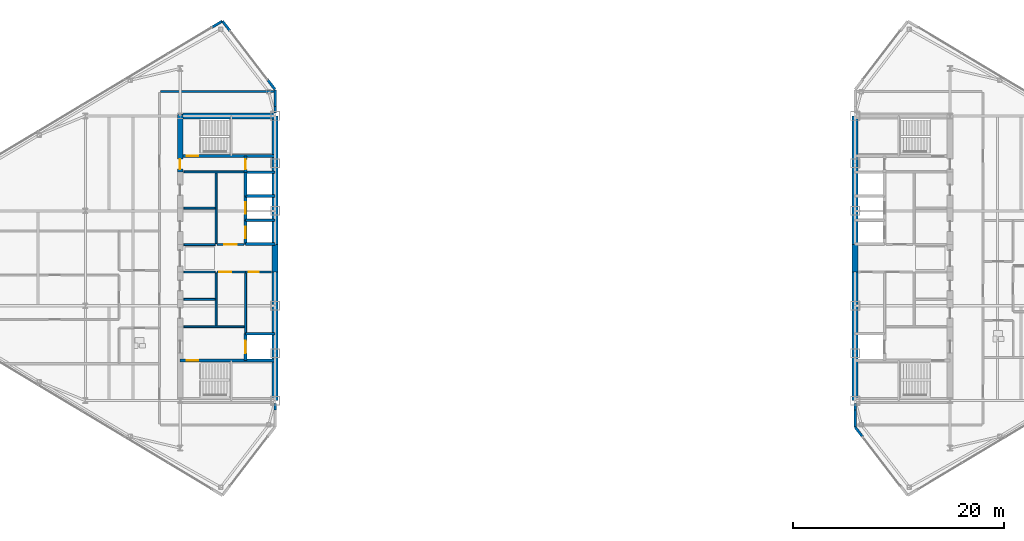
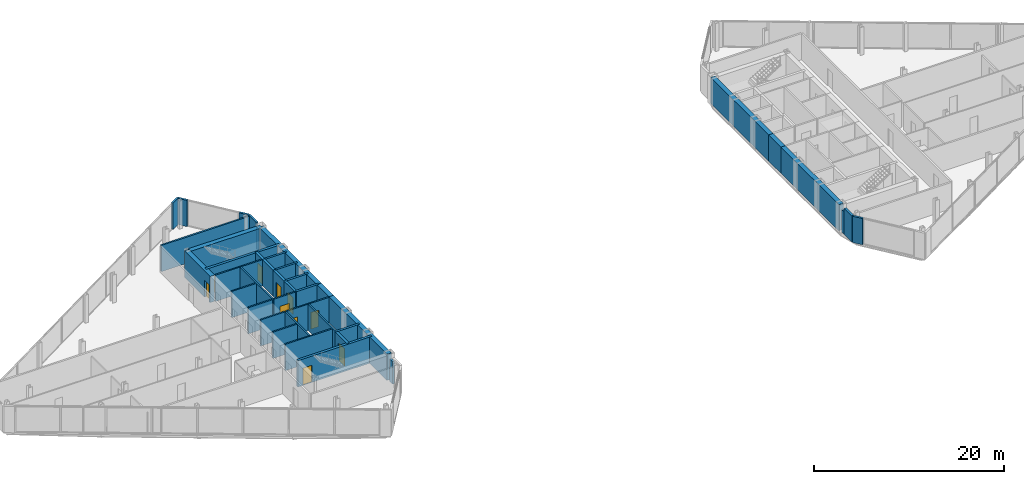
# One storey, part 20 of 25: 42 walls, 10 doors, 10 openings.
"""IFC4 building model written with IfcOpenShell, lengths in metres."""

from ifc_helpers import new_model, si_unit, direction, frame, frame_2d, origin, place, context, subcontext, project, spatial, rectangle, extrude, source, transform, mapped, material, layer, layer_set, type_object, type_shapes, element, fill, save


model = new_model("IFC4")

# Units and contexts
model_context = context("Model", 3, precision=1e-05, world=origin(), true_north=direction((0.0, 1.0)))
body_context = subcontext(model_context, "Body", "Model", "MODEL_VIEW")
ifc_project = project(units=[si_unit("LENGTHUNIT", "METRE"), si_unit("AREAUNIT", "SQUARE_METRE"), si_unit("VOLUMEUNIT", "CUBIC_METRE"), si_unit("PLANEANGLEUNIT", "RADIAN"), si_unit("MASSUNIT", "GRAM", prefix="KILO")], contexts=[model_context])

# Site, building, storey
site_placement = place(None, origin())
site = spatial("IfcSite", under=ifc_project, at=site_placement, CompositionType="ELEMENT")
building_placement = place(site_placement, origin())
building = spatial("IfcBuilding", under=site, at=building_placement, Name="Seokmaru Belvedere", CompositionType="ELEMENT")
storey_placement = place(building_placement, frame((0.0, 0.0, 206.699951171875)))
storey = spatial("IfcBuildingStorey", under=building, at=storey_placement, Name="L55", CompositionType="ELEMENT", Elevation=206.699951171875)

# Walls
ifc_material_1 = material(Name="Fire-Rated Gypsum Shaftwall")
ifc_layer_1 = layer(ifc_material_1, 0.179931640625)
ifc_layer_set_1 = layer_set([ifc_layer_1], Name="Fire-Rated Gypsum Shaftwall")
wall_type_1 = type_object("IfcWallType", Name="Core Service Fire Partition 180", PredefinedType="PARTITIONING", material=ifc_layer_set_1)
for number, where, z_axis, x_axis, name in (
    (1, (-36.14990234375, -6.5, 0.0), (0.0, 0.0, 1.0), (1.0, 0.0, 0.0), "L55 West Firefighting Lobby Partition"),
    (2, (-36.14990234375, 8.199951171875, 0.0), (0.0, 0.0, 1.0), (1.0, 0.0, 0.0), "L55 West Smokeproof Vestibule Partition"),
):
    element("IfcWall", number, at=place(storey_placement, frame(where, z_axis=z_axis, x_axis=x_axis)), inside=storey, type_object=wall_type_1, Name=name, PredefinedType="PARTITIONING", context=body_context, shape_type="SweptSolid", body=[
        extrude(rectangle(XDim=5.699951171875, YDim=0.179931640625, at=frame_2d((2.85009765625, 0.0))), origin(), (0.0, 0.0, 1.0), 3.380126953125),
    ])
wall_1_placement = place(storey_placement, frame((-33.10009765625, -6.419921875, 0.0), z_axis=(0.0, 0.0, 1.0), x_axis=(0.0, 1.0, 0.0)))
element("IfcWall", 3, at=wall_1_placement, inside=storey, type_object=wall_type_1, Name="L55 West South Core Service Back Wall", PredefinedType="PARTITIONING", context=body_context, shape_type="SweptSolid", body=[
    extrude(rectangle(XDim=5.0400390625, YDim=0.179931640625, at=frame_2d((2.52001953125, 0.0))), origin(), (0.0, 0.0, 1.0), 3.380126953125),
])
wall_2_placement = place(storey_placement, frame((-33.10009765625, 1.3798828125, 0.0), z_axis=(0.0, 0.0, 1.0), x_axis=(0.0, 1.0, 0.0)))
element("IfcWall", 4, at=wall_2_placement, inside=storey, type_object=wall_type_1, Name="L55 West North Core Service Back Wall", PredefinedType="PARTITIONING", context=body_context, shape_type="SweptSolid", body=[
    extrude(rectangle(XDim=6.740234375, YDim=0.179931640625, at=frame_2d((3.3701171875, 0.0))), origin(), (0.0, 0.0, 1.0), 3.380126953125),
])

# Wall, opening, door
wall_3_placement = place(storey_placement, frame((-30.300048828125, -1.300048828125, 0.0), z_axis=(0.0, 0.0, 1.0), x_axis=(1.0, 0.0, 0.0)))
wall_3 = element("IfcWall", 5, at=wall_3_placement, inside=storey, type_object=wall_type_1, Name="L55 West South Parcel Vault Foyer Wall", PredefinedType="PARTITIONING", context=body_context, shape_type="SweptSolid", body=[
    extrude(rectangle(XDim=2.449951171875, YDim=0.179931640625, at=frame_2d((1.22509765625, 0.0))), origin(), (0.0, 0.0, 1.0), 3.380126953125),
])
opening_1_placement = place(wall_3_placement, frame((0.27490234375, 0.0, 0.0)))
opening_1 = element("IfcOpeningElement", 6, at=opening_1_placement, cuts=wall_3, Name="Opening D04", PredefinedType="OPENING", context=body_context, shape_type="SweptSolid", body=[
    extrude(rectangle(XDim=0.949951171875, YDim=2.14990234375, at=frame_2d((0.47509765625, 1.074951171875))), frame((0.0, 0.10009765625, 0.0), z_axis=(0.0, -1.0, 0.0), x_axis=(1.0, 0.0, 0.0)), (0.0, 0.0, 1.0), 0.199951171875),
])
ifc_material_2 = material(Name="Fire-Rated Steel Leaf", Category="steel")
door_type_1 = type_object("IfcDoorType", Name="Core Service Room Fire Door 950x2150", OperationType="NOTDEFINED", PredefinedType="DOOR", material=ifc_material_2)
shared_shape_1 = source(origin(), body_context, "Body", "SweptSolid", [
    extrude(rectangle(XDim=0.949951171875, YDim=2.14990234375, at=frame_2d((0.47509765625, 1.074951171875))), frame((0.0, 0.02490234375, 0.0), z_axis=(0.0, -1.0, 0.0), x_axis=(1.0, 0.0, 0.0)), (0.0, 0.0, 1.0), 0.050048828125),
])
type_shapes(door_type_1, [shared_shape_1])
door_1_placement = place(opening_1_placement, origin())
door_1 = element("IfcDoor", 7, at=door_1_placement, inside=storey, type_object=door_type_1, Name="L55 West South Parcel Vault Door", OperationType="SINGLE_SWING_LEFT", OverallHeight=2.14990234375, OverallWidth=0.949951171875, PredefinedType="DOOR", context=body_context, shape_type="MappedRepresentation", body=[
    mapped(shared_shape_1, transform((0.0, 0.0, 0.0), scale=1.0)),
])
fill(opening_1, door_1)

wall_4_placement = place(storey_placement, frame((-33.02001953125, -1.300048828125, 0.0), z_axis=(0.0, 0.0, 1.0), x_axis=(1.0, 0.0, 0.0)))
wall_4 = element("IfcWall", 8, at=wall_4_placement, inside=storey, type_object=wall_type_1, Name="L55 West South Wine Cellar Foyer Wall", PredefinedType="PARTITIONING", context=body_context, shape_type="SweptSolid", body=[
    extrude(rectangle(XDim=2.719970703125, YDim=0.179931640625, at=frame_2d((1.35986328125, 0.0))), origin(), (0.0, 0.0, 1.0), 3.380126953125),
])
opening_2_placement = place(wall_4_placement, frame((0.2099609375, 0.0, 0.0)))
opening_2 = element("IfcOpeningElement", 9, at=opening_2_placement, cuts=wall_4, Name="Opening D02", PredefinedType="OPENING", context=body_context, shape_type="SweptSolid", body=[
    extrude(rectangle(XDim=1.14990234375, YDim=2.199951171875, at=frame_2d((0.574951171875, 1.10009765625))), frame((0.0, 0.10009765625, 0.0), z_axis=(0.0, -1.0, 0.0), x_axis=(1.0, 0.0, 0.0)), (0.0, 0.0, 1.0), 0.199951171875),
])
door_type_2 = type_object("IfcDoorType", Name="Lobby and Vestibule Fire Door 1150x2200", OperationType="NOTDEFINED", PredefinedType="DOOR", material=ifc_material_2)
shared_shape_2 = source(origin(), body_context, "Body", "SweptSolid", [
    extrude(rectangle(XDim=1.14990234375, YDim=2.199951171875, at=frame_2d((0.574951171875, 1.10009765625))), frame((0.0, 0.02490234375, 0.0), z_axis=(0.0, -1.0, 0.0), x_axis=(1.0, 0.0, 0.0)), (0.0, 0.0, 1.0), 0.050048828125),
])
type_shapes(door_type_2, [shared_shape_2])
door_2_placement = place(opening_2_placement, origin())
door_2 = element("IfcDoor", 10, at=door_2_placement, inside=storey, type_object=door_type_2, Name="L55 West South Core Foyer Door", OperationType="SINGLE_SWING_LEFT", OverallHeight=2.199951171875, OverallWidth=1.14990234375, PredefinedType="DOOR", context=body_context, shape_type="MappedRepresentation", body=[
    mapped(shared_shape_2, transform((0.0, 0.0, 0.0), scale=1.0)),
])
fill(opening_2, door_2)

# Wall
wall_5_placement = place(storey_placement, frame((-30.300048828125, -7.1201171875, 0.0), z_axis=(0.0, 0.0, 1.0), x_axis=(0.0, 1.0, 0.0)))
element("IfcWall", 11, at=wall_5_placement, inside=storey, type_object=wall_type_1, Name="L55 West Freed Shaft Vault Partition", PredefinedType="PARTITIONING", context=body_context, shape_type="SweptSolid", body=[
    extrude(rectangle(XDim=5.740234375, YDim=0.179931640625, at=frame_2d((2.8701171875, 0.0))), origin(), (0.0, 0.0, 1.0), 3.380126953125),
])

# Wall, opening, door
wall_6_placement = place(storey_placement, frame((-33.02001953125, 1.300048828125, 0.0), z_axis=(0.0, 0.0, 1.0), x_axis=(1.0, 0.0, 0.0)))
wall_6 = element("IfcWall", 12, at=wall_6_placement, inside=storey, type_object=wall_type_1, Name="L55 West North Lift Lobby Foyer Wall", PredefinedType="PARTITIONING", context=body_context, shape_type="SweptSolid", body=[
    extrude(rectangle(XDim=2.570068359375, YDim=0.179931640625, at=frame_2d((1.28515625, 0.0))), origin(), (0.0, 0.0, 1.0), 3.380126953125),
])
opening_3_placement = place(wall_6_placement, frame((0.7099609375, 0.0, 0.0)))
opening_3 = element("IfcOpeningElement", 13, at=opening_3_placement, cuts=wall_6, Name="Opening D02", PredefinedType="OPENING", context=body_context, shape_type="SweptSolid", body=[
    extrude(rectangle(XDim=1.14990234375, YDim=2.199951171875, at=frame_2d((0.574951171875, 1.10009765625))), frame((0.0, 0.10009765625, 0.0), z_axis=(0.0, -1.0, 0.0), x_axis=(1.0, 0.0, 0.0)), (0.0, 0.0, 1.0), 0.199951171875),
])
door_3_placement = place(opening_3_placement, origin())
door_3 = element("IfcDoor", 14, at=door_3_placement, inside=storey, type_object=door_type_2, Name="L55 West North Lift Lobby Door", OperationType="SINGLE_SWING_RIGHT", OverallHeight=2.199951171875, OverallWidth=1.14990234375, PredefinedType="DOOR", context=body_context, shape_type="MappedRepresentation", body=[
    mapped(shared_shape_2, transform((0.0, 0.0, 0.0), scale=1.0)),
])
fill(opening_3, door_3)

# Walls
for number, where, z_axis, x_axis, name in (
    (15, (-36.14990234375, -1.300048828125, 0.0), (0.0, 0.0, 1.0), (1.0, 0.0, 0.0), "L55 West Foyer Side Wall S"),
    (16, (-36.14990234375, 1.300048828125, 0.0), (0.0, 0.0, 1.0), (1.0, 0.0, 0.0), "L55 West Foyer Side Wall N"),
    (17, (-36.14990234375, -3.89990234375, 0.0), (0.0, 0.0, 1.0), (1.0, 0.0, 0.0), "L55 West Core Service Partition 1"),
    (18, (-36.14990234375, 4.75, 0.0), (0.0, 0.0, 1.0), (1.0, 0.0, 0.0), "L55 West Core Service Partition 2"),
):
    element("IfcWall", number, at=place(storey_placement, frame(where, z_axis=z_axis, x_axis=x_axis)), inside=storey, type_object=wall_type_1, Name=name, PredefinedType="PARTITIONING", context=body_context, shape_type="SweptSolid", body=[
        extrude(rectangle(XDim=2.949951171875, YDim=0.179931640625, at=frame_2d((1.47509765625, 0.0))), origin(), (0.0, 0.0, 1.0), 3.380126953125),
    ])
ifc_material_3 = material(Name="Concrete C50 (50 MPa)", Category="concrete")
ifc_layer_2 = layer(ifc_material_3, 0.25)
ifc_layer_set_2 = layer_set([ifc_layer_2], Name="Concrete C50 (50 MPa)")
wall_type_2 = type_object("IfcWallType", Name="Hoistway Transverse Concrete Divider Wall 250", PredefinedType="SHEAR", material=ifc_layer_set_2)
for number, where, z_axis, x_axis, name in (
    (19, (-30.300048828125, -7.14990234375, 0.0), (0.0, 0.0, 1.0), (1.0, 0.0, 0.0), "L55 West Hoistway Divider Core Wall 1"),
    (20, (-30.300048828125, 1.35009765625, 0.0), (0.0, 0.0, 1.0), (1.0, 0.0, 0.0), "L55 West Hoistway Divider Core Wall 2"),
    (21, (-30.300048828125, 3.60009765625, 0.0), (0.0, 0.0, 1.0), (1.0, 0.0, 0.0), "L55 West Hoistway Divider Core Wall 3"),
    (22, (-30.300048828125, 5.89990234375, 0.0), (0.0, 0.0, 1.0), (1.0, 0.0, 0.0), "L55 West Hoistway Divider Core Wall 4"),
    (23, (-30.300048828125, 8.14990234375, 0.0), (0.0, 0.0, 1.0), (1.0, 0.0, 0.0), "L55 West Hoistway Divider Core Wall 5"),
):
    element("IfcWall", number, at=place(storey_placement, frame(where, z_axis=z_axis, x_axis=x_axis)), inside=storey, type_object=wall_type_2, Name=name, PredefinedType="SHEAR", context=body_context, shape_type="SweptSolid", body=[
        extrude(rectangle(XDim=2.800048828125, YDim=0.25, at=frame_2d((1.39990234375, 0.0))), origin(), (0.0, 0.0, 1.0), 3.380126953125),
    ])
ifc_layer_3 = layer(ifc_material_1, 0.199951171875)
ifc_layer_set_3 = layer_set([ifc_layer_3], Name="Fire-Rated Gypsum Shaftwall")
wall_type_3 = type_object("IfcWallType", Name="Inter-Tenancy Fire Compartment Partition 200", PredefinedType="PARTITIONING", material=ifc_layer_set_3)
wall_7_placement = place(storey_placement, frame((-38.364990234375, 15.800048828125, 0.0), z_axis=(0.0, 0.0, 1.0), x_axis=(1.0, 0.0, 0.0)))
element("IfcWall", 24, at=wall_7_placement, inside=storey, type_object=wall_type_3, Name="L55 Interior Partition 015", PredefinedType="PARTITIONING", context=body_context, shape_type="SweptSolid", body=[
    extrude(rectangle(XDim=10.739990234375, YDim=0.199951171875, at=frame_2d((5.3701171875, 0.0))), origin(), (0.0, 0.0, 1.0), 3.380126953125),
])

# Wall, opening, door
ifc_layer_4 = layer(ifc_material_3, 0.300048828125)
ifc_layer_set_4 = layer_set([ifc_layer_4], Name="Concrete C50 (50 MPa)")
wall_type_4 = type_object("IfcWallType", Name="Internal Core Stair and Hoistway Wall 300", PredefinedType="SHEAR", material=ifc_layer_set_4)
wall_8_placement = place(storey_placement, frame((-36.5, -9.699951171875, 0.0), z_axis=(0.0, 0.0, 1.0), x_axis=(1.0, 0.0, 0.0)))
wall_8 = element("IfcWall", 25, at=wall_8_placement, inside=storey, type_object=wall_type_4, Name="L55 West Stair ST-1 Enclosure Wall", PredefinedType="SHEAR", context=body_context, shape_type="SweptSolid", body=[
    extrude(rectangle(XDim=9.0, YDim=0.300048828125, at=frame_2d((4.5, 0.0))), origin(), (0.0, 0.0, 1.0), 3.380126953125),
])
opening_4_placement = place(wall_8_placement, frame((0.60009765625, 0.0, 0.0)))
opening_4 = element("IfcOpeningElement", 26, at=opening_4_placement, cuts=wall_8, Name="Opening D01", PredefinedType="OPENING", context=body_context, shape_type="SweptSolid", body=[
    extrude(rectangle(XDim=1.10009765625, YDim=2.199951171875, at=frame_2d((0.550048828125, 1.10009765625))), frame((0.0, 0.16015625, 0.0), z_axis=(0.0, -1.0, 0.0), x_axis=(1.0, 0.0, 0.0)), (0.0, 0.0, 1.0), 0.320068359375),
])
door_type_3 = type_object("IfcDoorType", Name="Special Escape Stair Smokeproof Fire Door 1100x2200", OperationType="NOTDEFINED", PredefinedType="DOOR", material=ifc_material_2)
shared_shape_3 = source(origin(), body_context, "Body", "SweptSolid", [
    extrude(rectangle(XDim=1.10009765625, YDim=2.199951171875, at=frame_2d((0.550048828125, 1.10009765625))), frame((0.0, 0.02490234375, 0.0), z_axis=(0.0, -1.0, 0.0), x_axis=(1.0, 0.0, 0.0)), (0.0, 0.0, 1.0), 0.050048828125),
])
type_shapes(door_type_3, [shared_shape_3])
door_4_placement = place(opening_4_placement, frame((1.10009765625, 0.0, 0.0), z_axis=(0.0, 0.0, 1.0), x_axis=(-1.0, 0.0, 0.0)))
door_4 = element("IfcDoor", 27, at=door_4_placement, inside=storey, type_object=door_type_3, Name="L55 West Special Escape Stair ST-1 Door", OperationType="SINGLE_SWING_LEFT", OverallHeight=2.199951171875, OverallWidth=1.10009765625, PredefinedType="DOOR", context=body_context, shape_type="MappedRepresentation", body=[
    mapped(shared_shape_3, transform((0.0, 0.0, 0.0), scale=1.0)),
])
fill(opening_4, door_4)

wall_9_placement = place(storey_placement, frame((-36.5, 9.699951171875, 0.0), z_axis=(0.0, 0.0, 1.0), x_axis=(1.0, 0.0, 0.0)))
wall_9 = element("IfcWall", 28, at=wall_9_placement, inside=storey, type_object=wall_type_4, Name="L55 West Stair ST-2 Enclosure Wall", PredefinedType="SHEAR", context=body_context, shape_type="SweptSolid", body=[
    extrude(rectangle(XDim=9.0, YDim=0.300048828125, at=frame_2d((4.5, 0.0))), origin(), (0.0, 0.0, 1.0), 3.380126953125),
])
opening_5_placement = place(wall_9_placement, frame((0.60009765625, 0.0, 0.0)))
opening_5 = element("IfcOpeningElement", 29, at=opening_5_placement, cuts=wall_9, Name="Opening D01", PredefinedType="OPENING", context=body_context, shape_type="SweptSolid", body=[
    extrude(rectangle(XDim=1.10009765625, YDim=2.199951171875, at=frame_2d((0.550048828125, 1.10009765625))), frame((0.0, 0.16015625, 0.0), z_axis=(0.0, -1.0, 0.0), x_axis=(1.0, 0.0, 0.0)), (0.0, 0.0, 1.0), 0.320068359375),
])
door_5_placement = place(opening_5_placement, origin())
door_5 = element("IfcDoor", 30, at=door_5_placement, inside=storey, type_object=door_type_3, Name="L55 West Special Escape Stair ST-2 Door", OperationType="SINGLE_SWING_RIGHT", OverallHeight=2.199951171875, OverallWidth=1.10009765625, PredefinedType="DOOR", context=body_context, shape_type="MappedRepresentation", body=[
    mapped(shared_shape_3, transform((0.0, 0.0, 0.0), scale=1.0)),
])
fill(opening_5, door_5)

wall_10_placement = place(storey_placement, frame((-30.300048828125, -9.679931640625, 0.0), z_axis=(0.0, 0.0, 1.0), x_axis=(0.0, 1.0, 0.0)))
wall_10 = element("IfcWall", 31, at=wall_10_placement, inside=storey, type_object=wall_type_4, Name="L55 West Firefighting Lift Shaft Front Wall", PredefinedType="SHEAR", context=body_context, shape_type="SweptSolid", body=[
    extrude(rectangle(XDim=2.559814453125, YDim=0.300048828125, at=frame_2d((1.27978515625, 0.0))), origin(), (0.0, 0.0, 1.0), 3.380126953125),
])
opening_6_placement = place(wall_10_placement, frame((0.679931640625, 0.0, 0.0)))
opening_6 = element("IfcOpeningElement", 32, at=opening_6_placement, cuts=wall_10, Name="Opening LD2", PredefinedType="OPENING", context=body_context, shape_type="SweptSolid", body=[
    extrude(rectangle(XDim=1.199951171875, YDim=2.25, at=frame_2d((0.60009765625, 1.125))), frame((0.0, 0.16015625, 0.0), z_axis=(0.0, -1.0, 0.0), x_axis=(1.0, 0.0, 0.0)), (0.0, 0.0, 1.0), 0.320068359375),
])
ifc_material_4 = material(Name="Stainless Steel 316", Category="steel")
door_type_4 = type_object("IfcDoorType", Name="Firefighting Lift Sliding Landing Door 1200x2250", OperationType="DOUBLE_DOOR_SLIDING", PredefinedType="DOOR", material=ifc_material_4)
shared_shape_4 = source(origin(), body_context, "Body", "SweptSolid", [
    extrude(rectangle(XDim=1.199951171875, YDim=2.25, at=frame_2d((0.60009765625, 1.125))), frame((0.0, 0.02490234375, 0.0), z_axis=(0.0, -1.0, 0.0), x_axis=(1.0, 0.0, 0.0)), (0.0, 0.0, 1.0), 0.050048828125),
])
type_shapes(door_type_4, [shared_shape_4])
door_6_placement = place(opening_6_placement, origin())
door_6 = element("IfcDoor", 33, at=door_6_placement, inside=storey, type_object=door_type_4, Name="L55 West Firefighting Lift Landing Door", OperationType="DOUBLE_DOOR_SLIDING", OverallHeight=2.25, OverallWidth=1.199951171875, PredefinedType="DOOR", context=body_context, shape_type="MappedRepresentation", body=[
    mapped(shared_shape_4, transform((0.0, 0.0, 0.0), scale=1.0)),
])
fill(opening_6, door_6)

wall_11_placement = place(storey_placement, frame((-30.300048828125, 1.320068359375, 0.0), z_axis=(0.0, 0.0, 1.0), x_axis=(0.0, 1.0, 0.0)))
wall_11 = element("IfcWall", 34, at=wall_11_placement, inside=storey, type_object=wall_type_4, Name="L55 West North Hoistway Wall PH1", PredefinedType="SHEAR", context=body_context, shape_type="SweptSolid", body=[
    extrude(rectangle(XDim=2.280029296875, YDim=0.300048828125, at=frame_2d((1.14013671875, 0.0))), origin(), (0.0, 0.0, 1.0), 3.380126953125),
])
opening_7_placement = place(wall_11_placement, frame((0.590087890625, 0.0, 0.0)))
opening_7 = element("IfcOpeningElement", 35, at=opening_7_placement, cuts=wall_11, Name="Opening LD1", PredefinedType="OPENING", context=body_context, shape_type="SweptSolid", body=[
    extrude(rectangle(XDim=1.10009765625, YDim=2.199951171875, at=frame_2d((0.550048828125, 1.10009765625))), frame((0.0, 0.16015625, 0.0), z_axis=(0.0, -1.0, 0.0), x_axis=(1.0, 0.0, 0.0)), (0.0, 0.0, 1.0), 0.320068359375),
])
door_type_5 = type_object("IfcDoorType", Name="Passenger Lift Sliding Landing Door 1100x2200", OperationType="DOUBLE_DOOR_SLIDING", PredefinedType="DOOR", material=ifc_material_4)
shared_shape_5 = source(origin(), body_context, "Body", "SweptSolid", [
    extrude(rectangle(XDim=1.10009765625, YDim=2.199951171875, at=frame_2d((0.550048828125, 1.10009765625))), frame((0.0, 0.02490234375, 0.0), z_axis=(0.0, -1.0, 0.0), x_axis=(1.0, 0.0, 0.0)), (0.0, 0.0, 1.0), 0.050048828125),
])
type_shapes(door_type_5, [shared_shape_5])
door_7_placement = place(opening_7_placement, origin())
door_7 = element("IfcDoor", 36, at=door_7_placement, inside=storey, type_object=door_type_5, Name="L55 West High-Rise Lift PH-1 Landing Door", OperationType="DOUBLE_DOOR_SLIDING", OverallHeight=2.199951171875, OverallWidth=1.10009765625, PredefinedType="DOOR", context=body_context, shape_type="MappedRepresentation", body=[
    mapped(shared_shape_5, transform((0.0, 0.0, 0.0), scale=1.0)),
])
fill(opening_7, door_7)

wall_12_placement = place(storey_placement, frame((-30.300048828125, 3.60009765625, 0.0), z_axis=(0.0, 0.0, 1.0), x_axis=(0.0, 1.0, 0.0)))
wall_12 = element("IfcWall", 37, at=wall_12_placement, inside=storey, type_object=wall_type_4, Name="L55 West North Hoistway Wall PH2", PredefinedType="SHEAR", context=body_context, shape_type="SweptSolid", body=[
    extrude(rectangle(XDim=2.2998046875, YDim=0.300048828125, at=frame_2d((1.14990234375, 0.0))), origin(), (0.0, 0.0, 1.0), 3.380126953125),
])
opening_8_placement = place(wall_12_placement, frame((0.60009765625, 0.0, 0.0)))
opening_8 = element("IfcOpeningElement", 38, at=opening_8_placement, cuts=wall_12, Name="Opening LD1", PredefinedType="OPENING", context=body_context, shape_type="SweptSolid", body=[
    extrude(rectangle(XDim=1.10009765625, YDim=2.199951171875, at=frame_2d((0.550048828125, 1.10009765625))), frame((0.0, 0.16015625, 0.0), z_axis=(0.0, -1.0, 0.0), x_axis=(1.0, 0.0, 0.0)), (0.0, 0.0, 1.0), 0.320068359375),
])
door_8_placement = place(opening_8_placement, origin())
door_8 = element("IfcDoor", 39, at=door_8_placement, inside=storey, type_object=door_type_5, Name="L55 West High-Rise Lift PH-2 Landing Door", OperationType="DOUBLE_DOOR_SLIDING", OverallHeight=2.199951171875, OverallWidth=1.10009765625, PredefinedType="DOOR", context=body_context, shape_type="MappedRepresentation", body=[
    mapped(shared_shape_5, transform((0.0, 0.0, 0.0), scale=1.0)),
])
fill(opening_8, door_8)

# Wall
wall_13_placement = place(storey_placement, frame((-30.300048828125, 5.89990234375, 0.0), z_axis=(0.0, 0.0, 1.0), x_axis=(0.0, 1.0, 0.0)))
element("IfcWall", 40, at=wall_13_placement, inside=storey, type_object=wall_type_4, Name="L55 West North Hoistway Wall OBS", PredefinedType="SHEAR", context=body_context, shape_type="SweptSolid", body=[
    extrude(rectangle(XDim=2.25, YDim=0.300048828125, at=frame_2d((1.125, 0.0))), origin(), (0.0, 0.0, 1.0), 3.380126953125),
])

# Wall, opening, door
wall_14_placement = place(storey_placement, frame((-30.300048828125, 8.14990234375, 0.0), z_axis=(0.0, 0.0, 1.0), x_axis=(0.0, 1.0, 0.0)))
wall_14 = element("IfcWall", 41, at=wall_14_placement, inside=storey, type_object=wall_type_4, Name="L55 West Electrical Riser Front Wall", PredefinedType="SHEAR", context=body_context, shape_type="SweptSolid", body=[
    extrude(rectangle(XDim=1.530029296875, YDim=0.300048828125, at=frame_2d((0.76513671875, 0.0))), origin(), (0.0, 0.0, 1.0), 3.380126953125),
])
opening_9_placement = place(wall_14_placement, frame((0.284912109375, 0.0, 0.0)))
opening_9 = element("IfcOpeningElement", 42, at=opening_9_placement, cuts=wall_14, Name="Opening D04", PredefinedType="OPENING", context=body_context, shape_type="SweptSolid", body=[
    extrude(rectangle(XDim=0.949951171875, YDim=2.14990234375, at=frame_2d((0.47509765625, 1.074951171875))), frame((0.0, 0.16015625, 0.0), z_axis=(0.0, -1.0, 0.0), x_axis=(1.0, 0.0, 0.0)), (0.0, 0.0, 1.0), 0.320068359375),
])
door_9_placement = place(opening_9_placement, origin())
door_9 = element("IfcDoor", 43, at=door_9_placement, inside=storey, type_object=door_type_1, Name="L55 West Electrical Riser Access Door", OperationType="SINGLE_SWING_LEFT", OverallHeight=2.14990234375, OverallWidth=0.949951171875, PredefinedType="DOOR", context=body_context, shape_type="MappedRepresentation", body=[
    mapped(shared_shape_1, transform((0.0, 0.0, 0.0), scale=1.0)),
])
fill(opening_9, door_9)

# Walls
ifc_layer_5 = layer(ifc_material_3, 0.550048828125)
ifc_layer_set_5 = layer_set([ifc_layer_5], Name="Concrete C50 (50 MPa)")
wall_type_5 = type_object("IfcWallType", Name="Mid-High Reinforced Concrete Core Wall 550", PredefinedType="SHEAR", material=ifc_layer_set_5)
for number, where, z_axis, x_axis, name in (
    (44, (-27.5, -13.5, 0.0), (0.0, 0.0, 1.0), (0.0, 1.0, 0.0), "L55 West Portal Spine Core Wall South"),
    (45, (-27.5, 1.300048828125, 0.0), (0.0, 0.0, 1.0), (0.0, 1.0, 0.0), "L55 West Portal Spine Core Wall North"),
):
    element("IfcWall", number, at=place(storey_placement, frame(where, z_axis=z_axis, x_axis=x_axis)), inside=storey, type_object=wall_type_5, Name=name, PredefinedType="SHEAR", context=body_context, shape_type="SweptSolid", body=[
        extrude(rectangle(XDim=12.199951171875, YDim=0.550048828125, at=frame_2d((6.10009765625, 0.0))), origin(), (0.0, 0.0, 1.0), 3.380126953125),
    ])
wall_15_placement = place(storey_placement, frame((-27.5, -1.300048828125, 0.0), z_axis=(0.0, 0.0, 1.0), x_axis=(0.0, 1.0, 0.0)))
element("IfcWall", 46, at=wall_15_placement, inside=storey, type_object=wall_type_5, Name="L55 West Portal Spine Core Wall Center", PredefinedType="SHEAR", context=body_context, shape_type="SweptSolid", body=[
    extrude(rectangle(XDim=2.60009765625, YDim=0.550048828125, at=frame_2d((1.300048828125, 0.0))), origin(), (0.0, 0.0, 1.0), 3.380126953125),
])
wall_16_placement = place(storey_placement, frame((-36.5, 13.5, 0.0), z_axis=(0.0, 0.0, 1.0), x_axis=(1.0, 0.0, 0.0)))
element("IfcWall", 47, at=wall_16_placement, inside=storey, type_object=wall_type_5, Name="L55 West North Core Wall", PredefinedType="SHEAR", context=body_context, shape_type="SweptSolid", body=[
    extrude(rectangle(XDim=9.0, YDim=0.550048828125, at=frame_2d((4.5, 0.0))), origin(), (0.0, 0.0, 1.0), 3.380126953125),
])

# Wall, opening, door
wall_17_placement = place(storey_placement, frame((-36.5, 8.199951171875, 0.0), z_axis=(0.0, 0.0, 1.0), x_axis=(0.0, 1.0, 0.0)))
wall_17 = element("IfcWall", 48, at=wall_17_placement, inside=storey, type_object=wall_type_5, Name="L55 West West Core Wall VST", PredefinedType="SHEAR", context=body_context, shape_type="SweptSolid", body=[
    extrude(rectangle(XDim=5.449951171875, YDim=0.550048828125, at=frame_2d((2.72509765625, 0.0))), origin(), (0.0, 0.0, 1.0), 3.380126953125),
])
opening_10_placement = place(wall_17_placement, frame((0.2451171875, 0.0, 0.0)))
opening_10 = element("IfcOpeningElement", 49, at=opening_10_placement, cuts=wall_17, Name="Opening D04", PredefinedType="OPENING", context=body_context, shape_type="SweptSolid", body=[
    extrude(rectangle(XDim=0.949951171875, YDim=2.14990234375, at=frame_2d((0.47509765625, 1.074951171875))), frame((0.0, 0.28515625, 0.0), z_axis=(0.0, -1.0, 0.0), x_axis=(1.0, 0.0, 0.0)), (0.0, 0.0, 1.0), 0.570068359375),
])
door_10_placement = place(opening_10_placement, frame((0.949951171875, 0.0, 0.0), z_axis=(0.0, 0.0, 1.0), x_axis=(-1.0, 0.0, 0.0)))
door_10 = element("IfcDoor", 50, at=door_10_placement, inside=storey, type_object=door_type_1, Name="L55 West Smokeproof Vestibule Door", OperationType="SINGLE_SWING_RIGHT", OverallHeight=2.14990234375, OverallWidth=0.949951171875, PredefinedType="DOOR", context=body_context, shape_type="MappedRepresentation", body=[
    mapped(shared_shape_1, transform((0.0, 0.0, 0.0), scale=1.0)),
])
fill(opening_10, door_10)

# Walls
for number, where, z_axis, x_axis, name in (
    (51, (27.5, -13.5, 0.0), (0.0, 0.0, 1.0), (0.0, 1.0, 0.0), "L55 East Portal Spine Core Wall South"),
    (52, (27.5, 1.300048828125, 0.0), (0.0, 0.0, 1.0), (0.0, 1.0, 0.0), "L55 East Portal Spine Core Wall North"),
):
    element("IfcWall", number, at=place(storey_placement, frame(where, z_axis=z_axis, x_axis=x_axis)), inside=storey, type_object=wall_type_5, Name=name, PredefinedType="SHEAR", context=body_context, shape_type="SweptSolid", body=[
        extrude(rectangle(XDim=12.199951171875, YDim=0.550048828125, at=frame_2d((6.10009765625, 0.0))), origin(), (0.0, 0.0, 1.0), 3.380126953125),
    ])
wall_18_placement = place(storey_placement, frame((27.5, -1.300048828125, 0.0), z_axis=(0.0, 0.0, 1.0), x_axis=(0.0, 1.0, 0.0)))
element("IfcWall", 53, at=wall_18_placement, inside=storey, type_object=wall_type_5, Name="L55 East Portal Spine Core Wall Center", PredefinedType="SHEAR", context=body_context, shape_type="SweptSolid", body=[
    extrude(rectangle(XDim=2.60009765625, YDim=0.550048828125, at=frame_2d((1.300048828125, 0.0))), origin(), (0.0, 0.0, 1.0), 3.380126953125),
])
ifc_material_5 = material(Name="Anodised Bronze Aluminium", Category="aluminium")
ifc_layer_6 = layer(ifc_material_5, 0.239990234375)
ifc_layer_set_6 = layer_set([ifc_layer_6], Name="Anodised Bronze Aluminium")
wall_type_6 = type_object("IfcWallType", Name="Tower Corner Spandrel Closure Wall 240", PredefinedType="SOLIDWALL", material=ifc_layer_set_6)
for number, where, z_axis, x_axis, name in (
    (54, (-27.5, -14.3798828125, 0.0), (0.0, 0.0, 1.0), (0.0, 1.0, 0.0), "L55 W Shoulder Closure Wall 1 Part 2"),
    (55, (-27.5, 13.780029296875, 0.0), (0.0, 0.0, 1.0), (0.0, 1.0, 0.0), "L55 W Shoulder Closure Wall 2"),
):
    element("IfcWall", number, at=place(storey_placement, frame(where, z_axis=z_axis, x_axis=x_axis)), inside=storey, type_object=wall_type_6, Name=name, PredefinedType="SOLIDWALL", context=body_context, shape_type="SweptSolid", body=[
        extrude(rectangle(XDim=0.599853515625, YDim=0.239990234375, at=frame_2d((0.2998046875, 0.0))), origin(), (0.0, 0.0, 1.0), 2.880126953125),
    ])
wall_19_placement = place(storey_placement, frame((-27.5, 14.3798828125, 0.0), z_axis=(0.0, 0.0, 1.0), x_axis=(0.0, 1.0, 0.0)))
element("IfcWall", 56, at=wall_19_placement, inside=storey, type_object=wall_type_6, Name="L55 W Shoulder Closure Wall 2 Part 2", PredefinedType="SOLIDWALL", context=body_context, shape_type="SweptSolid", body=[
    extrude(rectangle(XDim=1.60009765625, YDim=0.239990234375, at=frame_2d((0.800048828125, 0.0))), origin(), (0.0, 0.0, 1.0), 3.380126953125),
])
for number, where, z_axis, x_axis, name in (
    (57, (-27.506103515625, 16.0078125, 0.0), (0.0, 0.0, 1.0), (-0.609617623633, 0.792695624408, 0.0), "L55 W Corner Closure Pier 2A"),
    (58, (-31.798828125, 21.58837890625, 0.0), (0.0, 0.0, 1.0), (-0.609617623633, 0.792695624408, 0.0), "L55 W Corner Closure Pier 2B"),
    (59, (-32.508544921875, 22.494873046875, 0.0), (0.0, 0.0, 1.0), (-0.85743623509, -0.514590228002, 0.0), "L55 W Corner Closure Pier 3A"),
):
    element("IfcWall", number, at=place(storey_placement, frame(where, z_axis=z_axis, x_axis=x_axis)), inside=storey, type_object=wall_type_6, Name=name, PredefinedType="SOLIDWALL", context=body_context, shape_type="SweptSolid", body=[
        extrude(rectangle(XDim=1.14013671875, YDim=0.239990234375, at=frame_2d((0.570068359375, 0.0))), origin(), (0.0, 0.0, 1.0), 3.380126953125),
    ])
wall_20_placement = place(storey_placement, frame((27.5, -15.97998046875, 0.0), z_axis=(0.0, 0.0, 1.0), x_axis=(0.0, 1.0, 0.0)))
element("IfcWall", 60, at=wall_20_placement, inside=storey, type_object=wall_type_6, Name="L55 E Shoulder Closure Wall 1", PredefinedType="SOLIDWALL", context=body_context, shape_type="SweptSolid", body=[
    extrude(rectangle(XDim=1.60009765625, YDim=0.239990234375, at=frame_2d((0.800048828125, 0.0))), origin(), (0.0, 0.0, 1.0), 3.380126953125),
])
wall_21_placement = place(storey_placement, frame((27.5, -14.3798828125, 0.0), z_axis=(0.0, 0.0, 1.0), x_axis=(0.0, 1.0, 0.0)))
element("IfcWall", 61, at=wall_21_placement, inside=storey, type_object=wall_type_6, Name="L55 E Shoulder Closure Wall 1 Part 2", PredefinedType="SOLIDWALL", context=body_context, shape_type="SweptSolid", body=[
    extrude(rectangle(XDim=0.599853515625, YDim=0.239990234375, at=frame_2d((0.2998046875, 0.0))), origin(), (0.0, 0.0, 1.0), 2.880126953125),
])
wall_22_placement = place(storey_placement, frame((27.506103515625, -16.0078125, 0.0), z_axis=(0.0, 0.0, 1.0), x_axis=(0.609617623633, -0.792695624408, 0.0)))
element("IfcWall", 62, at=wall_22_placement, inside=storey, type_object=wall_type_6, Name="L55 E Corner Closure Pier 6A", PredefinedType="SOLIDWALL", context=body_context, shape_type="SweptSolid", body=[
    extrude(rectangle(XDim=1.14013671875, YDim=0.239990234375, at=frame_2d((0.570068359375, 0.0))), origin(), (0.0, 0.0, 1.0), 3.380126953125),
])

save(model, "model.ifc")
